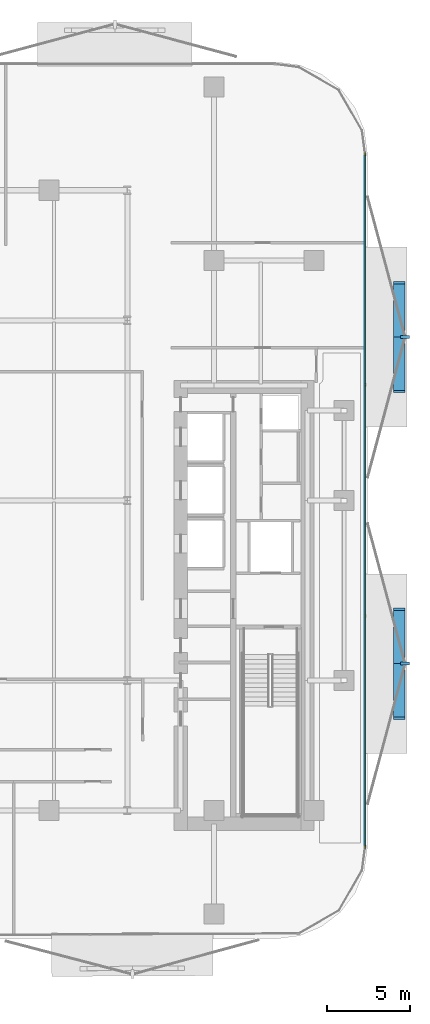
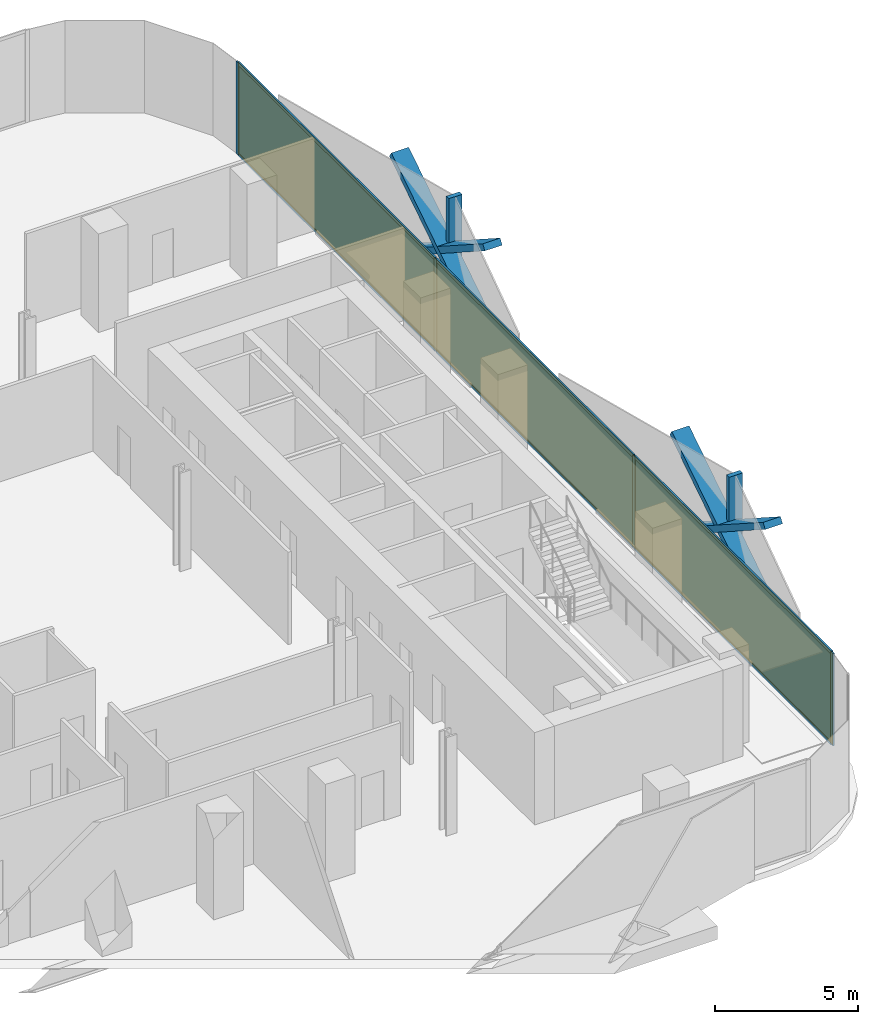
# One storey, part 9 of 16: 16 members, 3 plates, 1 curtain wall.
"""IFC4 building model written with IfcOpenShell, lengths in metres."""

import ifcopenshell
import ifcopenshell.guid

model = None  # the IFC model being written
_history = None  # IfcOwnerHistory: only IFC2X3 demands one
_inside = {}  # id of a spatial element -> (the spatial element, [elements in it])
_under = {}  # id of a project, library or spatial element -> (it, [spatial elements below it])
_declared = {}  # id of a project -> (the project, [libraries it declares])
_typed = {}  # id of a type object -> (the type object, [elements of that type])
_made_of = {}  # id of a material, layer set ... -> (it, [elements and type objects made of it])


def new_model(schema):
    """Start an empty IFC model of exactly this schema.

    Asked for "IFC4X3", IfcOpenShell would pick the latest addendum, in which some entities
    have other attributes; the version numbers below select the first issue.
    IFC2X3 requires an IfcOwnerHistory on every rooted entity: one is made here for all.
    """
    global model, _history
    if schema == "IFC4X3":
        model = ifcopenshell.file(schema_version=(4, 3, 0, 0))
    else:
        model = ifcopenshell.file(schema=schema)
    _inside.clear()
    _under.clear()
    _declared.clear()
    _typed.clear()
    _made_of.clear()
    _history = None
    if model.schema == "IFC2X3":
        org = make("IfcOrganization", Name="unknown")
        user = make(
            "IfcPersonAndOrganization",
            ThePerson=make("IfcPerson", FamilyName="unknown"),
            TheOrganization=org,
        )
        app = make(
            "IfcApplication",
            ApplicationDeveloper=org,
            Version="unknown",
            ApplicationFullName="unknown",
            ApplicationIdentifier="unknown",
        )
        _history = make(
            "IfcOwnerHistory",
            OwningUser=user,
            OwningApplication=app,
            ChangeAction="ADDED",
            CreationDate=0,
        )
    return model


def make(cls, **values):
    """One entity of the class cls with the attributes given. An attribute that is None is left unset."""
    return model.create_entity(
        cls, **{name: value for name, value in values.items() if value is not None}
    )


def rooted(cls, **values):
    """An entity with a GlobalId (a new one), such as an element, a storey or a relation."""
    return make(cls, GlobalId=ifcopenshell.guid.new(), OwnerHistory=_history, **values)


def si_unit(unit_type, name, prefix=None):
    """IfcSIUnit, for example si_unit("LENGTHUNIT", "METRE", prefix="MILLI")."""
    return make("IfcSIUnit", UnitType=unit_type, Prefix=prefix, Name=name)


def assignment(units):
    """IfcUnitAssignment: the units of a project."""
    return None if units is None else make("IfcUnitAssignment", Units=units)


def point(xyz):
    """IfcCartesianPoint."""
    return None if xyz is None else make("IfcCartesianPoint", Coordinates=xyz)


def direction(xyz):
    """IfcDirection."""
    return None if xyz is None else make("IfcDirection", DirectionRatios=xyz)


def frame(location, z_axis=None, x_axis=None):
    """IfcAxis2Placement3D, a coordinate frame: its origin and axes. An axis left out is left unset."""
    return make(
        "IfcAxis2Placement3D",
        Location=point(location),
        Axis=direction(z_axis),
        RefDirection=direction(x_axis),
    )


def frame_2d(location, x_axis=None):
    """IfcAxis2Placement2D, a coordinate frame in the plane: its origin and x axis."""
    return make(
        "IfcAxis2Placement2D", Location=point(location), RefDirection=direction(x_axis)
    )


def origin():
    """The frame at (0, 0, 0) with its axes left unset."""
    return frame((0.0, 0.0, 0.0))


def origin_2d():
    """The frame at (0, 0) in the plane with its x axis left unset."""
    return frame_2d((0.0, 0.0))


def place(relative_to, where):
    """IfcLocalPlacement: puts the frame where relative to a parent placement (None: the world)."""
    return make(
        "IfcLocalPlacement", PlacementRelTo=relative_to, RelativePlacement=where
    )


def context(
    kind, dimensions, precision=None, world=None, true_north=None, identifier=None
):
    """IfcGeometricRepresentationContext, for example the 3D "Model" context."""
    return make(
        "IfcGeometricRepresentationContext",
        ContextIdentifier=identifier,
        ContextType=kind,
        CoordinateSpaceDimension=dimensions,
        Precision=precision,
        WorldCoordinateSystem=world,
        TrueNorth=true_north,
    )


def subcontext(parent, identifier, kind, view, scale=None):
    """IfcGeometricRepresentationSubContext, for example "Body" below "Model"."""
    return make(
        "IfcGeometricRepresentationSubContext",
        ContextIdentifier=identifier,
        ContextType=kind,
        ParentContext=parent,
        TargetScale=scale,
        TargetView=view,
    )


def project(units=None, contexts=None):
    """IfcProject with its units and contexts."""
    return rooted(
        "IfcProject",
        Name="project",
        RepresentationContexts=contexts,
        UnitsInContext=assignment(units),
    )


def spatial(cls, under=None, at=None, **own):
    """A site, building, storey or space (cls), placed at a placement, below another one or the project."""
    s = rooted(cls, ObjectPlacement=at, **own)
    if under is not None:
        _under.setdefault(under.id(), (under, []))[1].append(s)
    return s


def profile(cls, at=None, kind="AREA", **sizes):
    """A parametric profile (cls). Its sizes go by their IFC names, for example OverallWidth=200.0."""
    return make(cls, ProfileType=kind, Position=at, **sizes)


def rectangle(**sizes):
    """IfcRectangleProfileDef."""
    return profile("IfcRectangleProfileDef", **sizes)


def extrude(swept, where, along, depth):
    """IfcExtrudedAreaSolid: the profile swept, set in the frame where, extruded along a direction by depth."""
    return make(
        "IfcExtrudedAreaSolid",
        SweptArea=swept,
        Position=where,
        ExtrudedDirection=direction(along),
        Depth=depth,
    )


def shape(context_of_items, identifier, shape_type, items):
    """IfcShapeRepresentation: the items that make up one representation, for example the "Body"."""
    return make(
        "IfcShapeRepresentation",
        ContextOfItems=context_of_items,
        RepresentationIdentifier=identifier,
        RepresentationType=shape_type,
        Items=items,
    )


def material(Name=None, Category=None):
    """IfcMaterial."""
    return make("IfcMaterial", Name=Name, Category=Category)


def layer(
    of_material, thickness, ventilated=None, Name=None, Category=None, Priority=None
):
    """IfcMaterialLayer: one layer of a wall or slab, of a material (None: an air gap)."""
    return make(
        "IfcMaterialLayer",
        Material=of_material,
        LayerThickness=thickness,
        IsVentilated=ventilated,
        Name=Name,
        Category=Category,
        Priority=Priority,
    )


def layer_set(layers, Name=None):
    """IfcMaterialLayerSet."""
    return make("IfcMaterialLayerSet", MaterialLayers=layers, LayerSetName=Name)


def material_profile(
    of_material, cross_section, Name=None, Category=None, Priority=None
):
    """IfcMaterialProfile: a cross section and its material."""
    return make(
        "IfcMaterialProfile",
        Name=Name,
        Material=of_material,
        Profile=cross_section,
        Priority=Priority,
        Category=Category,
    )


def profile_set(profiles, Name=None, composite=None):
    """IfcMaterialProfileSet."""
    return make(
        "IfcMaterialProfileSet",
        Name=Name,
        MaterialProfiles=profiles,
        CompositeProfile=composite,
    )


def made_of(thing, what):
    """Note that an element or type object is made of a material, layer set ...; save() writes the relation."""
    if what is not None:
        _made_of.setdefault(what.id(), (what, []))[1].append(thing)
    return thing


def type_object(cls, material=None, **own):
    """A type object (cls), such as IfcWallType, which elements share."""
    return made_of(rooted(cls, **own), material)


def element(
    cls,
    number,
    at=None,
    inside=None,
    cuts=None,
    type_object=None,
    material=None,
    context=None,
    identifier="Body",
    shape_type=None,
    held_by="IfcProductDefinitionShape",
    body=None,
    shapes=None,
    **own,
):
    """One element of the class cls, such as IfcWall. Its Tag is "e" and its number.

    at: its placement. inside: the storey or other place that contains it. cuts: it is an
    opening in that element (IfcRelVoidsElement). A single representation is given by context,
    identifier, shape_type and body (its items); several are given by shapes. held_by: the class
    of the entity that holds the representations. save() writes the other relations.
    """
    e = rooted(cls, Tag="e%d" % number, ObjectPlacement=at, **own)
    if body is not None:
        shapes = [shape(context, identifier, shape_type, body)]
    if shapes is not None:
        e.Representation = make(held_by, Representations=shapes)
    if inside is not None:
        _inside.setdefault(inside.id(), (inside, []))[1].append(e)
    if cuts is not None:
        rooted(
            "IfcRelVoidsElement", RelatingBuildingElement=cuts, RelatedOpeningElement=e
        )
    if type_object is not None:
        _typed.setdefault(type_object.id(), (type_object, []))[1].append(e)
    return made_of(e, material)


def aggregate(whole, parts):
    """IfcRelAggregates: a whole, such as a stair, and the parts it consists of."""
    return rooted("IfcRelAggregates", RelatingObject=whole, RelatedObjects=parts)


def save(model, path):
    """Write the relations noted so far, then the file.

    IfcRelAggregates (storeys below a building ...), IfcRelContainedInSpatialStructure (elements
    in a storey), IfcRelDefinesByType, IfcRelAssociatesMaterial and IfcRelDeclares: one each for
    every whole, place, type object, material and project.
    """
    for whole, parts in _under.values():
        aggregate(whole, parts)
    for where, things in _inside.values():
        rooted(
            "IfcRelContainedInSpatialStructure",
            RelatedElements=things,
            RelatingStructure=where,
        )
    for kind, things in _typed.values():
        rooted("IfcRelDefinesByType", RelatedObjects=things, RelatingType=kind)
    for what, things in _made_of.values():
        rooted("IfcRelAssociatesMaterial", RelatedObjects=things, RelatingMaterial=what)
    for by, libraries in _declared.values():
        rooted("IfcRelDeclares", RelatingContext=by, RelatedDefinitions=libraries)
    model.write(path)


model = new_model("IFC4")

# Units and contexts
model_context = context("Model", 3, precision=1e-05, world=origin(), true_north=direction((0.0, 1.0)))
body_context = subcontext(model_context, "Body", "Model", "MODEL_VIEW")
ifc_project = project(units=[si_unit("LENGTHUNIT", "METRE"), si_unit("AREAUNIT", "SQUARE_METRE"), si_unit("VOLUMEUNIT", "CUBIC_METRE"), si_unit("PLANEANGLEUNIT", "RADIAN"), si_unit("MASSUNIT", "GRAM", prefix="KILO")], contexts=[model_context])

# Member
ifc_material_1 = material(Name="Anodised Bronze Aluminium 6063-T6", Category="aluminium")
ifc_material_profile_1 = material_profile(ifc_material_1, rectangle(XDim=0.260009765625, YDim=0.699951171875, at=origin_2d()))
ifc_profile_set_1 = profile_set([ifc_material_profile_1], Name="Anodised Bronze Aluminium 6063-T6")
member_type_1 = type_object("IfcMemberType", Name="Bronze Diamond Solar-Screen Lattice Rib BDL-700", PredefinedType="MULLION", material=ifc_profile_set_1)
site_placement = place(None, origin())
building_placement = place(site_placement, origin())
storey_placement = place(building_placement, frame((0.0, 0.0, 97.39990234375)))
member_1_placement = place(storey_placement, frame((25.5, 13.060546875, -0.1298828125), z_axis=(0.0, -0.841066075866, 0.540932395062), x_axis=(0.0, -0.540932395062, -0.841066075866)))
member_1 = element("IfcMember", 1, at=member_1_placement, type_object=member_type_1, Name="L22 Bronze Diamond Solar Screen Lattice Rib 127A", PredefinedType="MULLION", context=body_context, shape_type="SweptSolid", body=[
    extrude(rectangle(XDim=0.260009765625, YDim=0.699951171875, at=origin_2d()), origin(), (0.0, 0.0, 1.0), 7.76416015625),
])

member_2_placement = place(storey_placement, frame((25.5, 6.5302734375, -0.1298828125), z_axis=(0.0, 0.841066075866, 0.540932395062), x_axis=(0.0, 0.540932395062, -0.841066075866)))
member_2 = element("IfcMember", 2, at=member_2_placement, type_object=member_type_1, Name="L22 Bronze Diamond Solar Screen Lattice Rib 127B", PredefinedType="MULLION", context=body_context, shape_type="SweptSolid", body=[
    extrude(rectangle(XDim=0.260009765625, YDim=0.699951171875, at=origin_2d()), origin(), (0.0, 0.0, 1.0), 7.76416015625),
])

member_3_placement = place(storey_placement, frame((25.5, -6.5302734375, -0.1298828125), z_axis=(0.0, -0.841066075866, 0.540932395062), x_axis=(0.0, -0.540932395062, -0.841066075866)))
member_3 = element("IfcMember", 3, at=member_3_placement, type_object=member_type_1, Name="L22 Bronze Diamond Solar Screen Lattice Rib 128A", PredefinedType="MULLION", context=body_context, shape_type="SweptSolid", body=[
    extrude(rectangle(XDim=0.260009765625, YDim=0.699951171875, at=origin_2d()), origin(), (0.0, 0.0, 1.0), 7.76416015625),
])

member_4_placement = place(storey_placement, frame((25.5, -13.060546875, -0.1298828125), z_axis=(0.0, 0.841066075866, 0.540932395062), x_axis=(0.0, 0.540932395062, -0.841066075866)))
member_4 = element("IfcMember", 4, at=member_4_placement, type_object=member_type_1, Name="L22 Bronze Diamond Solar Screen Lattice Rib 128B", PredefinedType="MULLION", context=body_context, shape_type="SweptSolid", body=[
    extrude(rectangle(XDim=0.260009765625, YDim=0.699951171875, at=origin_2d()), origin(), (0.0, 0.0, 1.0), 7.76416015625),
])

ifc_material_2 = material(Name="Anodised Bronze Aluminium 6063-T6", Category="aluminium")
ifc_material_profile_2 = material_profile(ifc_material_2, rectangle(XDim=0.179931640625, YDim=0.5400390625, at=origin_2d()))
ifc_profile_set_2 = profile_set([ifc_material_profile_2], Name="Anodised Bronze Aluminium 6063-T6")
member_type_2 = type_object("IfcMemberType", Name="Bronze Solar-Screen Vertical Fold Fin BSF-540", PredefinedType="MULLION", material=ifc_profile_set_2)
member_5_placement = place(storey_placement, frame((25.840087890625, 9.79541015625, -0.1298828125), z_axis=(0.0, 0.0, 1.0), x_axis=(0.0, -1.0, 0.0)))
member_5 = element("IfcMember", 5, at=member_5_placement, type_object=member_type_2, Name="L22 Bronze Solar Screen Vertical Fin 127", PredefinedType="MULLION", context=body_context, shape_type="SweptSolid", body=[
    extrude(rectangle(XDim=0.179931640625, YDim=0.5400390625, at=origin_2d()), origin(), (0.0, 0.0, 1.0), 4.199951171875),
])

member_6_placement = place(storey_placement, frame((25.840087890625, -9.79541015625, -0.1298828125), z_axis=(0.0, 0.0, 1.0), x_axis=(0.0, -1.0, 0.0)))
member_6 = element("IfcMember", 6, at=member_6_placement, type_object=member_type_2, Name="L22 Bronze Solar Screen Vertical Fin 128", PredefinedType="MULLION", context=body_context, shape_type="SweptSolid", body=[
    extrude(rectangle(XDim=0.179931640625, YDim=0.5400390625, at=origin_2d()), origin(), (0.0, 0.0, 1.0), 4.199951171875),
])

ifc_material_3 = material(Name="Anodised Bronze Aluminium 6063-T6", Category="aluminium")
ifc_material_profile_3 = material_profile(ifc_material_3, rectangle(XDim=0.06494140625, YDim=0.175048828125, at=origin_2d()))
ifc_profile_set_3 = profile_set([ifc_material_profile_3], Name="Anodised Bronze Aluminium 6063-T6")
member_type_3 = type_object("IfcMemberType", Name="CW-Z2 Mullion 65x175", PredefinedType="MULLION", material=ifc_profile_set_3)
member_7_placement = place(storey_placement, frame((23.4599609375, 20.75830078125, 0.0), z_axis=(0.0, 0.0, 1.0), x_axis=(1.0, 0.0, 0.0)))
member_7 = element("IfcMember", 7, at=member_7_placement, type_object=member_type_3, Name="CW-Z2 mullion 1", PredefinedType="MULLION", context=body_context, shape_type="SweptSolid", body=[
    extrude(rectangle(XDim=0.06494140625, YDim=0.175048828125, at=origin_2d()), origin(), (0.0, 0.0, 1.0), 3.940185546875),
])

member_8_placement = place(storey_placement, frame((23.4599609375, 6.93017578125, 0.0), z_axis=(0.0, 0.0, 1.0), x_axis=(1.0, 0.0, 0.0)))
member_8 = element("IfcMember", 8, at=member_8_placement, type_object=member_type_3, Name="CW-Z2 mullion 2", PredefinedType="MULLION", context=body_context, shape_type="SweptSolid", body=[
    extrude(rectangle(XDim=0.06494140625, YDim=0.175048828125, at=origin_2d()), origin(), (0.0, 0.0, 1.0), 3.940185546875),
])

member_9_placement = place(storey_placement, frame((23.4599609375, -6.93017578125, 0.0), z_axis=(0.0, 0.0, 1.0), x_axis=(1.0, 0.0, 0.0)))
member_9 = element("IfcMember", 9, at=member_9_placement, type_object=member_type_3, Name="CW-Z2 mullion 3", PredefinedType="MULLION", context=body_context, shape_type="SweptSolid", body=[
    extrude(rectangle(XDim=0.06494140625, YDim=0.175048828125, at=origin_2d()), origin(), (0.0, 0.0, 1.0), 3.940185546875),
])

member_10_placement = place(storey_placement, frame((23.4599609375, -20.75830078125, 0.0), z_axis=(0.0, 0.0, 1.0), x_axis=(1.0, 0.0, 0.0)))
member_10 = element("IfcMember", 10, at=member_10_placement, type_object=member_type_3, Name="CW-Z2 mullion 4", PredefinedType="MULLION", context=body_context, shape_type="SweptSolid", body=[
    extrude(rectangle(XDim=0.06494140625, YDim=0.175048828125, at=origin_2d()), origin(), (0.0, 0.0, 1.0), 3.940185546875),
])

ifc_material_4 = material(Name="Anodised Bronze Aluminium 6063-T6", Category="aluminium")
ifc_material_profile_4 = material_profile(ifc_material_4, rectangle(XDim=0.06494140625, YDim=0.135009765625, at=origin_2d()))
ifc_profile_set_4 = profile_set([ifc_material_profile_4], Name="Anodised Bronze Aluminium 6063-T6")
member_type_4 = type_object("IfcMemberType", Name="CW-Z2 Transom 65x135", PredefinedType="USERDEFINED", material=ifc_profile_set_4)
member_11_placement = place(storey_placement, frame((23.4599609375, 20.725830078125, 0.03271484375), z_axis=(0.0, -1.0, 0.0), x_axis=(1.0, 0.0, 0.0)))
member_11 = element("IfcMember", 11, at=member_11_placement, type_object=member_type_4, Name="CW-Z2 transom 1.1", ObjectType="TRANSOM", PredefinedType="USERDEFINED", context=body_context, shape_type="SweptSolid", body=[
    extrude(rectangle(XDim=0.06494140625, YDim=0.135009765625, at=origin_2d()), origin(), (0.0, 0.0, 1.0), 13.76318359375),
])

member_12_placement = place(storey_placement, frame((23.4599609375, 20.725830078125, 3.90771484375), z_axis=(0.0, -1.0, 0.0), x_axis=(1.0, 0.0, 0.0)))
member_12 = element("IfcMember", 12, at=member_12_placement, type_object=member_type_4, Name="CW-Z2 transom 1.2", ObjectType="TRANSOM", PredefinedType="USERDEFINED", context=body_context, shape_type="SweptSolid", body=[
    extrude(rectangle(XDim=0.06494140625, YDim=0.135009765625, at=origin_2d()), origin(), (0.0, 0.0, 1.0), 13.76318359375),
])

member_13_placement = place(storey_placement, frame((23.4599609375, 6.897705078125, 0.03271484375), z_axis=(0.0, -1.0, 0.0), x_axis=(1.0, 0.0, 0.0)))
member_13 = element("IfcMember", 13, at=member_13_placement, type_object=member_type_4, Name="CW-Z2 transom 2.1", ObjectType="TRANSOM", PredefinedType="USERDEFINED", context=body_context, shape_type="SweptSolid", body=[
    extrude(rectangle(XDim=0.06494140625, YDim=0.135009765625, at=origin_2d()), origin(), (0.0, 0.0, 1.0), 13.79541015625),
])

member_14_placement = place(storey_placement, frame((23.4599609375, 6.897705078125, 3.90771484375), z_axis=(0.0, -1.0, 0.0), x_axis=(1.0, 0.0, 0.0)))
member_14 = element("IfcMember", 14, at=member_14_placement, type_object=member_type_4, Name="CW-Z2 transom 2.2", ObjectType="TRANSOM", PredefinedType="USERDEFINED", context=body_context, shape_type="SweptSolid", body=[
    extrude(rectangle(XDim=0.06494140625, YDim=0.135009765625, at=origin_2d()), origin(), (0.0, 0.0, 1.0), 13.79541015625),
])

member_15_placement = place(storey_placement, frame((23.4599609375, -6.962646484375, 0.03271484375), z_axis=(0.0, -1.0, 0.0), x_axis=(1.0, 0.0, 0.0)))
member_15 = element("IfcMember", 15, at=member_15_placement, type_object=member_type_4, Name="CW-Z2 transom 3.1", ObjectType="TRANSOM", PredefinedType="USERDEFINED", context=body_context, shape_type="SweptSolid", body=[
    extrude(rectangle(XDim=0.06494140625, YDim=0.135009765625, at=origin_2d()), origin(), (0.0, 0.0, 1.0), 13.76318359375),
])

member_16_placement = place(storey_placement, frame((23.4599609375, -6.962646484375, 3.90771484375), z_axis=(0.0, -1.0, 0.0), x_axis=(1.0, 0.0, 0.0)))
member_16 = element("IfcMember", 16, at=member_16_placement, type_object=member_type_4, Name="CW-Z2 transom 3.2", ObjectType="TRANSOM", PredefinedType="USERDEFINED", context=body_context, shape_type="SweptSolid", body=[
    extrude(rectangle(XDim=0.06494140625, YDim=0.135009765625, at=origin_2d()), origin(), (0.0, 0.0, 1.0), 13.76318359375),
])

# Plate
ifc_material_5 = material(Name="Low-E Solar Control Laminated Glass", Category="glass")
ifc_layer_1 = layer(ifc_material_5, 0.028076171875, Name="Low-E Solar Control Laminated Glass")
ifc_layer_set_1 = layer_set([ifc_layer_1], Name="Low-E Solar Control Laminated Glass")
plate_type = type_object("IfcPlateType", Name="CW-Z2 Low-E Double Glazed Panel 28mm", PredefinedType="CURTAIN_PANEL", material=ifc_layer_set_1)
plate_1_placement = place(storey_placement, frame((23.4599609375, 13.84423828125, 0.065185546875), z_axis=(0.0, 0.0, 1.0), x_axis=(0.0, -1.0, 0.0)))
plate_1 = element("IfcPlate", 17, at=plate_1_placement, type_object=plate_type, Name="CW-Z2 panel 1.1", PredefinedType="CURTAIN_PANEL", context=body_context, shape_type="SweptSolid", body=[
    extrude(rectangle(XDim=13.762939453125, YDim=0.028076171875, at=origin_2d()), origin(), (0.0, 0.0, 1.0), 3.81005859375),
])

plate_2_placement = place(storey_placement, frame((23.4599609375, 0.0, 0.065185546875), z_axis=(0.0, 0.0, 1.0), x_axis=(0.0, -1.0, 0.0)))
plate_2 = element("IfcPlate", 18, at=plate_2_placement, type_object=plate_type, Name="CW-Z2 panel 2.1", PredefinedType="CURTAIN_PANEL", context=body_context, shape_type="SweptSolid", body=[
    extrude(rectangle(XDim=13.795654296875, YDim=0.028076171875, at=origin_2d()), origin(), (0.0, 0.0, 1.0), 3.81005859375),
])

plate_3_placement = place(storey_placement, frame((23.4599609375, -13.84423828125, 0.065185546875), z_axis=(0.0, 0.0, 1.0), x_axis=(0.0, -1.0, 0.0)))
plate_3 = element("IfcPlate", 19, at=plate_3_placement, type_object=plate_type, Name="CW-Z2 panel 3.1", PredefinedType="CURTAIN_PANEL", context=body_context, shape_type="SweptSolid", body=[
    extrude(rectangle(XDim=13.762939453125, YDim=0.028076171875, at=origin_2d()), origin(), (0.0, 0.0, 1.0), 3.81005859375),
])

# Site, building, storey
site = spatial("IfcSite", under=ifc_project, at=site_placement, CompositionType="ELEMENT")
building = spatial("IfcBuilding", under=site, at=building_placement, Name="Khairoan Windgate Tower", CompositionType="ELEMENT")
storey = spatial("IfcBuildingStorey", under=building, at=storey_placement, Name="L22", CompositionType="ELEMENT", Elevation=97.39990234375)

# Curtain wall
ifc_material_6 = material(Name="Anodised Bronze Aluminium 6063-T6", Category="aluminium")
ifc_layer_2 = layer(ifc_material_6, 0.175048828125, Name="Anodised Bronze Aluminium 6063-T6")
ifc_layer_set_2 = layer_set([ifc_layer_2], Name="Anodised Bronze Aluminium 6063-T6")
curtain_wall_type = type_object("IfcCurtainWallType", Name="Mid-Rise Office Unitised Curtain Wall CW-Z2", PredefinedType="NOTDEFINED", material=ifc_layer_set_2)
curtain_wall_placement = place(storey_placement, frame((23.4599609375, 20.790771484375, 0.0), z_axis=(0.0, 0.0, 1.0), x_axis=(0.0, -1.0, 0.0)))
curtain_wall = element("IfcCurtainWall", 20, at=curtain_wall_placement, inside=storey, type_object=curtain_wall_type, Name="L22 Unitised Curtain Wall 16", PredefinedType="NOTDEFINED", context=body_context, shape_type="SweptSolid", body=[
    extrude(rectangle(XDim=41.58154296875, YDim=0.010009765625, at=frame_2d((20.790771484375, 0.0))), origin(), (0.0, 0.0, 1.0), 3.940185546875),
])

aggregate(curtain_wall, [member_7, member_8, member_9, member_10, member_11, member_12, plate_1, member_13, member_14, plate_2, member_15, member_16, plate_3, member_1, member_2, member_5, member_3, member_4, member_6])

save(model, "model.ifc")
